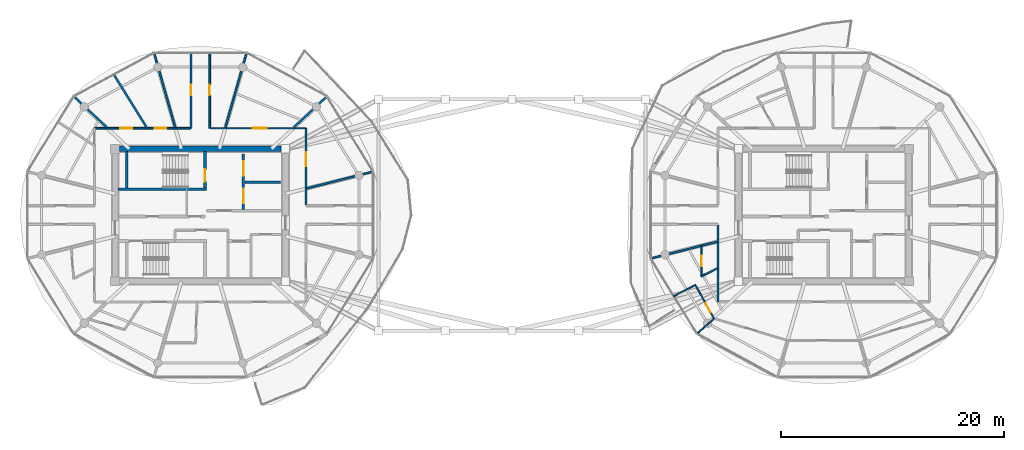
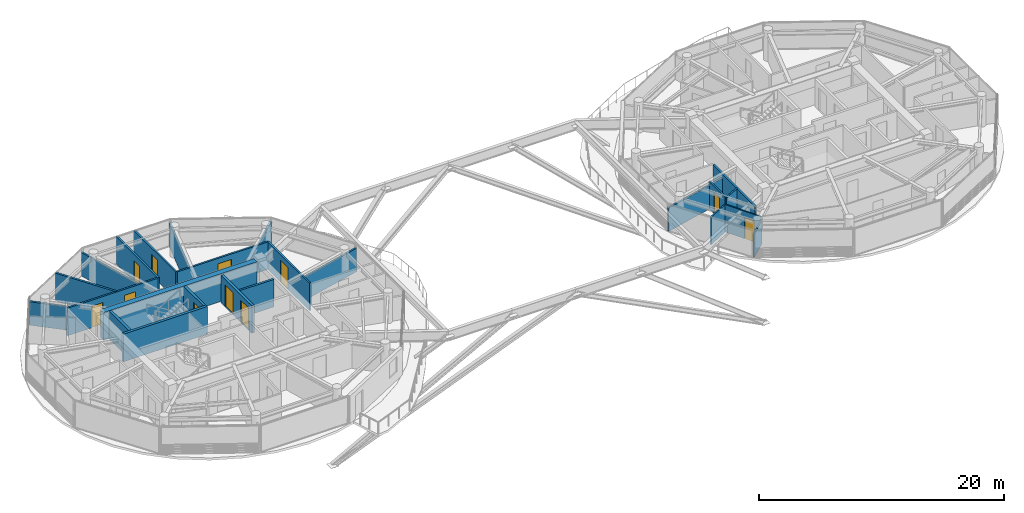
# One storey, part 15 of 23: 24 walls, 11 doors, 11 openings.
"""IFC4 building model written with IfcOpenShell, lengths in metres."""

from ifc_helpers import new_model, si_unit, direction, frame, frame_2d, origin, place, context, subcontext, project, spatial, rectangle, extrude, source, transform, mapped, material, layer, layer_set, type_object, type_shapes, element, fill, save


model = new_model("IFC4")

# Units and contexts
model_context = context("Model", 3, precision=1e-05, world=origin(), true_north=direction((0.0, 1.0)))
body_context = subcontext(model_context, "Body", "Model", "MODEL_VIEW")
ifc_project = project(units=[si_unit("LENGTHUNIT", "METRE"), si_unit("AREAUNIT", "SQUARE_METRE"), si_unit("VOLUMEUNIT", "CUBIC_METRE"), si_unit("PLANEANGLEUNIT", "RADIAN"), si_unit("MASSUNIT", "GRAM", prefix="KILO")], contexts=[model_context])

# Site, building, storey
site_placement = place(None, origin())
site = spatial("IfcSite", under=ifc_project, at=site_placement, CompositionType="ELEMENT")
building_placement = place(site_placement, origin())
building = spatial("IfcBuilding", under=site, at=building_placement, Name="Norrkilde Senior Care Towers", CompositionType="ELEMENT")
storey_placement = place(building_placement, frame((0.0, 0.0, 196.75)))
storey = spatial("IfcBuildingStorey", under=building, at=storey_placement, Name="L61", CompositionType="ELEMENT", Elevation=196.75)

# Walls
ifc_material_1 = material(Name="Concrete C50/60", Category="concrete")
ifc_layer_1 = layer(ifc_material_1, 0.52001953125)
ifc_layer_set_1 = layer_set([ifc_layer_1], Name="Concrete C50/60")
wall_type_1 = type_object("IfcWallType", Name="Core Shear Wall Z4 520", PredefinedType="SHEAR", material=ifc_layer_set_1)
shared_shape_1 = source(origin(), body_context, "Body", "SweptSolid", [
    extrude(rectangle(XDim=14.5, YDim=0.52001953125, at=frame_2d((7.25, 0.0))), origin(), (0.0, 0.0, 1.0), 2.760009765625),
])
type_shapes(wall_type_1, [shared_shape_1])
wall_1_placement = place(storey_placement, frame((-35.25, 5.949951171875, 0.0), z_axis=(0.0, 0.0, 1.0), x_axis=(1.0, 0.0, 0.0)))
element("IfcWall", 1, at=wall_1_placement, inside=storey, type_object=wall_type_1, Name="L61 Core W North Shear Wall", PredefinedType="SHEAR", context=body_context, shape_type="MappedRepresentation", body=[
    mapped(shared_shape_1, transform((0.0, 0.0, 0.0), x_axis=(1.0, 0.0, 0.0), y_axis=(0.0, 1.0, 0.0), z_axis=(0.0, 0.0, 1.0), scale=1.0)),
])
ifc_material_2 = material(Name="Concrete C45/55", Category="concrete")
ifc_layer_2 = layer(ifc_material_2, 0.239990234375)
ifc_layer_set_2 = layer_set([ifc_layer_2], Name="Concrete C45/55")
wall_type_2 = type_object("IfcWallType", Name="Shaft and Stair Enclosure Wall 240", PredefinedType="PARTITIONING", material=ifc_layer_set_2)
shared_shape_2 = source(origin(), body_context, "Body", "SweptSolid", [
    extrude(rectangle(XDim=7.929931640625, YDim=0.239990234375, at=frame_2d((3.96484375, 0.0))), origin(), (0.0, 0.0, 1.0), 2.760009765625),
])
wall_2_placement = place(storey_placement, frame((-35.389892578125, 2.330078125, 0.0), z_axis=(0.0, 0.0, 1.0), x_axis=(1.0, 0.0, 0.0)))
element("IfcWall", 2, at=wall_2_placement, inside=storey, type_object=wall_type_2, Name="WL-INT-L61-W-ST1S", PredefinedType="PARTITIONING", context=body_context, shape_type="MappedRepresentation", body=[
    mapped(shared_shape_2, transform((0.0, 0.0, 0.0), x_axis=(1.0, 0.0, 0.0), y_axis=(0.0, 1.0, 0.0), z_axis=(0.0, 0.0, 1.0), scale=1.0)),
])
shared_shape_3 = source(origin(), body_context, "Body", "SweptSolid", [
    extrude(rectangle(XDim=3.239990234375, YDim=0.239990234375, at=frame_2d((1.6201171875, 0.0))), origin(), (0.0, 0.0, 1.0), 2.760009765625),
])
type_shapes(wall_type_2, [shared_shape_2, shared_shape_3])
wall_3_placement = place(storey_placement, frame((-34.6201171875, 2.449951171875, 0.0), z_axis=(0.0, 0.0, 1.0), x_axis=(0.0, 1.0, 0.0)))
element("IfcWall", 3, at=wall_3_placement, inside=storey, type_object=wall_type_2, Name="WL-INT-L61-W-ST1W", PredefinedType="PARTITIONING", context=body_context, shape_type="MappedRepresentation", body=[
    mapped(shared_shape_3, transform((0.0, 0.0, 0.0), x_axis=(1.0, 0.0, 0.0), y_axis=(0.0, 1.0, 0.0), z_axis=(0.0, 0.0, 1.0), scale=1.0)),
])

# Wall, opening, door
wall_4_placement = place(storey_placement, frame((-27.580078125, 2.449951171875, 0.0), z_axis=(0.0, 0.0, 1.0), x_axis=(0.0, 1.0, 0.0)))
wall_4 = element("IfcWall", 4, at=wall_4_placement, inside=storey, type_object=wall_type_2, Name="WL-INT-L61-W-ST1E", PredefinedType="PARTITIONING", context=body_context, shape_type="MappedRepresentation", body=[
    mapped(shared_shape_3, transform((0.0, 0.0, 0.0), x_axis=(1.0, 0.0, 0.0), y_axis=(0.0, 1.0, 0.0), z_axis=(0.0, 0.0, 1.0), scale=1.0)),
])
opening_1_placement = place(wall_4_placement, frame((0.550048828125, 0.0, 0.0)))
opening_1 = element("IfcOpeningElement", 5, at=opening_1_placement, cuts=wall_4, Name="Opening D-03", PredefinedType="OPENING", context=body_context, shape_type="SweptSolid", body=[
    extrude(rectangle(XDim=1.10009765625, YDim=2.14990234375, at=frame_2d((0.550048828125, 1.074951171875))), frame((0.0, 0.1298828125, 0.0), z_axis=(0.0, -1.0, 0.0), x_axis=(1.0, 0.0, 0.0)), (0.0, 0.0, 1.0), 0.260009765625),
])
ifc_material_3 = material(Name="Galvanised Painted Steel", Category="steel")
door_type_1 = type_object("IfcDoorType", Name="Stairwell Protected Fire Door 1100x2150", OperationType="NOTDEFINED", PredefinedType="DOOR", material=ifc_material_3)
shared_shape_4 = source(origin(), body_context, "Body", "SweptSolid", [
    extrude(rectangle(XDim=1.10009765625, YDim=2.14990234375, at=frame_2d((0.550048828125, 1.074951171875))), frame((0.0, 0.02490234375, 0.0), z_axis=(0.0, -1.0, 0.0), x_axis=(1.0, 0.0, 0.0)), (0.0, 0.0, 1.0), 0.050048828125),
])
type_shapes(door_type_1, [shared_shape_4])
door_1_placement = place(opening_1_placement, origin())
door_1 = element("IfcDoor", 6, at=door_1_placement, inside=storey, type_object=door_type_1, Name="L61 Stair W1 Fire Door", OperationType="SINGLE_SWING_LEFT", OverallHeight=2.14990234375, OverallWidth=1.10009765625, PredefinedType="DOOR", context=body_context, shape_type="MappedRepresentation", body=[
    mapped(shared_shape_4, transform((0.0, 0.0, 0.0), x_axis=(1.0, 0.0, 0.0), y_axis=(0.0, 1.0, 0.0), z_axis=(0.0, 0.0, 1.0), scale=1.0)),
])
fill(opening_1, door_1)

# Wall, openings, doors
ifc_layer_3 = layer(ifc_material_2, 0.239990234375)
ifc_layer_set_3 = layer_set([ifc_layer_3], Name="Concrete C45/55")
wall_type_3 = type_object("IfcWallType", Name="Lift and Plant Rated Enclosure Partition 240", PredefinedType="PARTITIONING", material=ifc_layer_set_3)
shared_shape_5 = source(origin(), body_context, "Body", "SweptSolid", [
    extrude(rectangle(XDim=5.0, YDim=0.239990234375, at=frame_2d((2.5, 0.0))), origin(), (0.0, 0.0, 1.0), 2.7451171875),
])
type_shapes(wall_type_3, [shared_shape_5])
wall_5_placement = place(storey_placement, frame((-24.139892578125, 0.5, 0.0), z_axis=(0.0, 0.0, 1.0), x_axis=(0.0, 1.0, 0.0)))
wall_5 = element("IfcWall", 7, at=wall_5_placement, inside=storey, type_object=wall_type_3, Name="WL-INT-L61-W-FFLE", PredefinedType="PARTITIONING", context=body_context, shape_type="MappedRepresentation", body=[
    mapped(shared_shape_5, transform((0.0, 0.0, 0.0), x_axis=(1.0, 0.0, 0.0), y_axis=(0.0, 1.0, 0.0), z_axis=(0.0, 0.0, 1.0), scale=1.0)),
])
opening_2_placement = place(wall_5_placement, frame((3.050048828125, 0.0, 0.0)))
opening_2 = element("IfcOpeningElement", 8, at=opening_2_placement, cuts=wall_5, Name="Opening LD-02", PredefinedType="OPENING", context=body_context, shape_type="SweptSolid", body=[
    extrude(rectangle(XDim=1.300048828125, YDim=2.199951171875, at=frame_2d((0.64990234375, 1.10009765625))), frame((0.0, 0.1298828125, 0.0), z_axis=(0.0, -1.0, 0.0), x_axis=(1.0, 0.0, 0.0)), (0.0, 0.0, 1.0), 0.260009765625),
])
opening_3_placement = place(wall_5_placement, frame((0.550048828125, 0.0, 0.0)))
opening_3 = element("IfcOpeningElement", 9, at=opening_3_placement, cuts=wall_5, Name="Opening LD-02", PredefinedType="OPENING", context=body_context, shape_type="SweptSolid", body=[
    extrude(rectangle(XDim=1.300048828125, YDim=2.199951171875, at=frame_2d((0.64990234375, 1.10009765625))), frame((0.0, 0.1298828125, 0.0), z_axis=(0.0, -1.0, 0.0), x_axis=(1.0, 0.0, 0.0)), (0.0, 0.0, 1.0), 0.260009765625),
])
ifc_material_4 = material(Name="Stainless Steel", Category="steel")
door_type_2 = type_object("IfcDoorType", Name="Stretcher and FFL Landing Sliding Door 1300x2200", OperationType="NOTDEFINED", PredefinedType="DOOR", material=ifc_material_4)
shared_shape_6 = source(origin(), body_context, "Body", "SweptSolid", [
    extrude(rectangle(XDim=1.300048828125, YDim=2.199951171875, at=frame_2d((0.64990234375, 1.10009765625))), frame((0.0, 0.02490234375, 0.0), z_axis=(0.0, -1.0, 0.0), x_axis=(1.0, 0.0, 0.0)), (0.0, 0.0, 1.0), 0.050048828125),
])
type_shapes(door_type_2, [shared_shape_6])
door_2_placement = place(opening_2_placement, origin())
door_2 = element("IfcDoor", 10, at=door_2_placement, inside=storey, type_object=door_type_2, Name="L61 Firefighting Lift W1 Landing Door", OperationType="SLIDING_TO_LEFT", OverallHeight=2.199951171875, OverallWidth=1.300048828125, PredefinedType="DOOR", context=body_context, shape_type="MappedRepresentation", body=[
    mapped(shared_shape_6, transform((0.0, 0.0, 0.0), x_axis=(1.0, 0.0, 0.0), y_axis=(0.0, 1.0, 0.0), z_axis=(0.0, 0.0, 1.0), scale=1.0)),
])
fill(opening_2, door_2)
door_3_placement = place(opening_3_placement, origin())
door_3 = element("IfcDoor", 11, at=door_3_placement, inside=storey, type_object=door_type_2, Name="L61 Stretcher Lift W1 Landing Door", OperationType="SLIDING_TO_RIGHT", OverallHeight=2.199951171875, OverallWidth=1.300048828125, PredefinedType="DOOR", context=body_context, shape_type="MappedRepresentation", body=[
    mapped(shared_shape_6, transform((0.0, 0.0, 0.0), x_axis=(1.0, 0.0, 0.0), y_axis=(0.0, 1.0, 0.0), z_axis=(0.0, 0.0, 1.0), scale=1.0)),
])
fill(opening_3, door_3)

# Wall
ifc_layer_4 = layer(ifc_material_2, 0.199951171875)
ifc_layer_set_4 = layer_set([ifc_layer_4], Name="Concrete C45/55")
wall_type_4 = type_object("IfcWallType", Name="Shaft Division and Plant Partition 200", PredefinedType="PARTITIONING", material=ifc_layer_set_4)
shared_shape_7 = source(origin(), body_context, "Body", "SweptSolid", [
    extrude(rectangle(XDim=3.199951171875, YDim=0.199951171875, at=frame_2d((1.60009765625, 0.0))), origin(), (0.0, 0.0, 1.0), 2.7451171875),
])
type_shapes(wall_type_4, [shared_shape_7])
wall_6_placement = place(storey_placement, frame((-24.0, 2.949951171875, 0.0), z_axis=(0.0, 0.0, 1.0), x_axis=(1.0, 0.0, 0.0)))
element("IfcWall", 12, at=wall_6_placement, inside=storey, type_object=wall_type_4, Name="WL-INT-L61-W-FFLDIV", PredefinedType="PARTITIONING", context=body_context, shape_type="MappedRepresentation", body=[
    mapped(shared_shape_7, transform((0.0, 0.0, 0.0), x_axis=(1.0, 0.0, 0.0), y_axis=(0.0, 1.0, 0.0), z_axis=(0.0, 0.0, 1.0), scale=1.0)),
])

# Wall, openings, doors
ifc_material_5 = material(Name="Gypsum Acoustic Board")
ifc_layer_5 = layer(ifc_material_5, 0.1650390625)
ifc_layer_set_5 = layer_set([ifc_layer_5], Name="Gypsum Acoustic Board")
wall_type_5 = type_object("IfcWallType", Name="Corridor Rated Partition 165", PredefinedType="PARTITIONING", material=ifc_layer_set_5)
shared_shape_8 = source(origin(), body_context, "Body", "SweptSolid", [
    extrude(rectangle(XDim=8.580078125, YDim=0.1650390625, at=frame_2d((4.2900390625, 0.0))), origin(), (0.0, 0.0, 1.0), 2.7451171875),
])
wall_7_placement = place(storey_placement, frame((-37.5, 7.800048828125, 0.0), z_axis=(0.0, 0.0, 1.0), x_axis=(1.0, 0.0, 0.0)))
wall_7 = element("IfcWall", 13, at=wall_7_placement, inside=storey, type_object=wall_type_5, Name="WL-INT-L61-W-CRW-N-0", PredefinedType="PARTITIONING", context=body_context, shape_type="MappedRepresentation", body=[
    mapped(shared_shape_8, transform((0.0, 0.0, 0.0), x_axis=(1.0, 0.0, 0.0), y_axis=(0.0, 1.0, 0.0), z_axis=(0.0, 0.0, 1.0), scale=1.0)),
])
opening_4_placement = place(wall_7_placement, frame((5.40771484375, 0.0, 0.0)))
opening_4 = element("IfcOpeningElement", 14, at=opening_4_placement, cuts=wall_7, Name="Opening D-06", PredefinedType="OPENING", context=body_context, shape_type="SweptSolid", body=[
    extrude(rectangle(XDim=1.050048828125, YDim=2.14990234375, at=frame_2d((0.52490234375, 1.074951171875))), frame((0.0, 0.092529296875, 0.0), z_axis=(0.0, -1.0, 0.0), x_axis=(1.0, 0.0, 0.0)), (0.0, 0.0, 1.0), 0.18505859375),
])
opening_5_placement = place(wall_7_placement, frame((2.316650390625, 0.0, 0.0)))
opening_5 = element("IfcOpeningElement", 15, at=opening_5_placement, cuts=wall_7, Name="Opening D-06", PredefinedType="OPENING", context=body_context, shape_type="SweptSolid", body=[
    extrude(rectangle(XDim=1.050048828125, YDim=2.14990234375, at=frame_2d((0.52490234375, 1.074951171875))), frame((0.0, 0.092529296875, 0.0), z_axis=(0.0, -1.0, 0.0), x_axis=(1.0, 0.0, 0.0)), (0.0, 0.0, 1.0), 0.18505859375),
])
ifc_material_6 = material(Name="Nordic Ash Timber", Category="wood")
door_type_3 = type_object("IfcDoorType", Name="Apartment Entrance Fire Door 1050x2150", OperationType="NOTDEFINED", PredefinedType="DOOR", material=ifc_material_6)
shared_shape_9 = source(origin(), body_context, "Body", "SweptSolid", [
    extrude(rectangle(XDim=1.050048828125, YDim=2.14990234375, at=frame_2d((0.52490234375, 1.074951171875))), frame((0.0, 0.02490234375, 0.0), z_axis=(0.0, -1.0, 0.0), x_axis=(1.0, 0.0, 0.0)), (0.0, 0.0, 1.0), 0.050048828125),
])
type_shapes(door_type_3, [shared_shape_9])
door_4_placement = place(opening_4_placement, frame((1.050048828125, 0.0, 0.0), z_axis=(0.0, 0.0, 1.0), x_axis=(-1.0, 0.0, 0.0)))
door_4 = element("IfcDoor", 16, at=door_4_placement, inside=storey, type_object=door_type_3, Name="L61 Physiotherapy Clinic 3A Door", OperationType="SINGLE_SWING_RIGHT", OverallHeight=2.14990234375, OverallWidth=1.050048828125, PredefinedType="DOOR", context=body_context, shape_type="MappedRepresentation", body=[
    mapped(shared_shape_9, transform((0.0, 0.0, 0.0), x_axis=(1.0, 0.0, 0.0), y_axis=(0.0, 1.0, 0.0), z_axis=(0.0, 0.0, 1.0), scale=1.0)),
])
fill(opening_4, door_4)
door_5_placement = place(opening_5_placement, frame((1.050048828125, 0.0, 0.0), z_axis=(0.0, 0.0, 1.0), x_axis=(-1.0, 0.0, 0.0)))
door_5 = element("IfcDoor", 17, at=door_5_placement, inside=storey, type_object=door_type_3, Name="L61 Assessment Clinic 3B Door", OperationType="SINGLE_SWING_LEFT", OverallHeight=2.14990234375, OverallWidth=1.050048828125, PredefinedType="DOOR", context=body_context, shape_type="MappedRepresentation", body=[
    mapped(shared_shape_9, transform((0.0, 0.0, 0.0), x_axis=(1.0, 0.0, 0.0), y_axis=(0.0, 1.0, 0.0), z_axis=(0.0, 0.0, 1.0), scale=1.0)),
])
fill(opening_5, door_5)

# Wall, opening, door
wall_8_placement = place(storey_placement, frame((-27.080078125, 7.800048828125, 0.0), z_axis=(0.0, 0.0, 1.0), x_axis=(1.0, 0.0, 0.0)))
wall_8 = element("IfcWall", 18, at=wall_8_placement, inside=storey, type_object=wall_type_5, Name="WL-INT-L61-W-CRW-N-1", PredefinedType="PARTITIONING", context=body_context, shape_type="MappedRepresentation", body=[
    mapped(shared_shape_8, transform((0.0, 0.0, 0.0), x_axis=(1.0, 0.0, 0.0), y_axis=(0.0, 1.0, 0.0), z_axis=(0.0, 0.0, 1.0), scale=1.0)),
])
opening_6_placement = place(wall_8_placement, frame((3.802490234375, 0.0, 0.0)))
opening_6 = element("IfcOpeningElement", 19, at=opening_6_placement, cuts=wall_8, Name="Opening D-05", PredefinedType="OPENING", context=body_context, shape_type="SweptSolid", body=[
    extrude(rectangle(XDim=1.25, YDim=2.199951171875, at=frame_2d((0.625, 1.10009765625))), frame((0.0, 0.092529296875, 0.0), z_axis=(0.0, -1.0, 0.0), x_axis=(1.0, 0.0, 0.0)), (0.0, 0.0, 1.0), 0.18505859375),
])
door_type_4 = type_object("IfcDoorType", Name="Care Bedroom Bariatric Door 1250x2200", OperationType="NOTDEFINED", PredefinedType="DOOR", material=ifc_material_6)
shared_shape_10 = source(origin(), body_context, "Body", "SweptSolid", [
    extrude(rectangle(XDim=1.25, YDim=2.199951171875, at=frame_2d((0.625, 1.10009765625))), frame((0.0, 0.02490234375, 0.0), z_axis=(0.0, -1.0, 0.0), x_axis=(1.0, 0.0, 0.0)), (0.0, 0.0, 1.0), 0.050048828125),
])
type_shapes(door_type_4, [shared_shape_10])
door_6_placement = place(opening_6_placement, frame((1.25, 0.0, 0.0), z_axis=(0.0, 0.0, 1.0), x_axis=(-1.0, 0.0, 0.0)))
door_6 = element("IfcDoor", 20, at=door_6_placement, inside=storey, type_object=door_type_4, Name="L61 Senior Wellness Library Lounge Door", OperationType="SINGLE_SWING_RIGHT", OverallHeight=2.199951171875, OverallWidth=1.25, PredefinedType="DOOR", context=body_context, shape_type="MappedRepresentation", body=[
    mapped(shared_shape_10, transform((0.0, 0.0, 0.0), x_axis=(1.0, 0.0, 0.0), y_axis=(0.0, 1.0, 0.0), z_axis=(0.0, 0.0, 1.0), scale=1.0)),
])
fill(opening_6, door_6)

shared_shape_11 = source(origin(), body_context, "Body", "SweptSolid", [
    extrude(rectangle(XDim=6.880126953125, YDim=0.1650390625, at=frame_2d((3.43994140625, 0.0))), origin(), (0.0, 0.0, 1.0), 2.7451171875),
])
wall_9_placement = place(storey_placement, frame((-18.5, 7.800048828125, 0.0), z_axis=(0.0, 0.0, 1.0), x_axis=(0.0, -1.0, 0.0)))
wall_9 = element("IfcWall", 21, at=wall_9_placement, inside=storey, type_object=wall_type_5, Name="WL-INT-L61-W-CRW-E-0", PredefinedType="PARTITIONING", context=body_context, shape_type="MappedRepresentation", body=[
    mapped(shared_shape_11, transform((0.0, 0.0, 0.0), x_axis=(1.0, 0.0, 0.0), y_axis=(0.0, 1.0, 0.0), z_axis=(0.0, 0.0, 1.0), scale=1.0)),
])
opening_7_placement = place(wall_9_placement, frame((2.165771484375, 0.0, 0.0)))
opening_7 = element("IfcOpeningElement", 22, at=opening_7_placement, cuts=wall_9, Name="Opening D-05", PredefinedType="OPENING", context=body_context, shape_type="SweptSolid", body=[
    extrude(rectangle(XDim=1.25, YDim=2.199951171875, at=frame_2d((0.625, 1.10009765625))), frame((0.0, 0.092529296875, 0.0), z_axis=(0.0, -1.0, 0.0), x_axis=(1.0, 0.0, 0.0)), (0.0, 0.0, 1.0), 0.18505859375),
])
door_7_placement = place(opening_7_placement, frame((1.25, 0.0, 0.0), z_axis=(0.0, 0.0, 1.0), x_axis=(-1.0, 0.0, 0.0)))
door_7 = element("IfcDoor", 23, at=door_7_placement, inside=storey, type_object=door_type_4, Name="L61 Sky-Garden Observatory Dining Salon L61 Door", OperationType="SINGLE_SWING_LEFT", OverallHeight=2.199951171875, OverallWidth=1.25, PredefinedType="DOOR", context=body_context, shape_type="MappedRepresentation", body=[
    mapped(shared_shape_10, transform((0.0, 0.0, 0.0), x_axis=(1.0, 0.0, 0.0), y_axis=(0.0, 1.0, 0.0), z_axis=(0.0, 0.0, 1.0), scale=1.0)),
])
fill(opening_7, door_7)

# Walls
wall_10_placement = place(storey_placement, frame((18.5, -7.800048828125, 0.0), z_axis=(0.0, 0.0, 1.0), x_axis=(0.0, 1.0, 0.0)))
element("IfcWall", 24, at=wall_10_placement, inside=storey, type_object=wall_type_5, Name="WL-INT-L61-E-CRW-W-0", PredefinedType="PARTITIONING", context=body_context, shape_type="MappedRepresentation", body=[
    mapped(shared_shape_11, transform((0.0, 0.0, 0.0), x_axis=(1.0, 0.0, 0.0), y_axis=(0.0, 1.0, 0.0), z_axis=(0.0, 0.0, 1.0), scale=1.0)),
])
shared_shape_12 = source(origin(), body_context, "Body", "SweptSolid", [
    extrude(rectangle(XDim=6.973876953125, YDim=0.1650390625, at=frame_2d((3.48681640625, 0.0))), origin(), (0.0, 0.0, 1.0), 2.344970703125),
])
for number, where, z_axis, x_axis, name in (
    (25, (-25.748779296875, 7.8798828125, 0.0), (0.0, 0.0, 1.0), (0.274707256801, 0.961527910703, 0.0), "WL-INT-L61-W-DEM-02-0"),
    (26, (-30.251220703125, 7.8798828125, 0.0), (0.0, 0.0, 1.0), (-0.274707256801, 0.961527910703, 0.0), "WL-INT-L61-W-DEM-03-0"),
):
    element("IfcWall", number, at=place(storey_placement, frame(where, z_axis=z_axis, x_axis=x_axis)), inside=storey, type_object=wall_type_5, Name=name, PredefinedType="PARTITIONING", context=body_context, shape_type="MappedRepresentation", body=[
        mapped(shared_shape_12, transform((0.0, 0.0, 0.0), x_axis=(1.0, 0.0, 0.0), y_axis=(0.0, 1.0, 0.0), z_axis=(0.0, 0.0, 1.0), scale=1.0)),
    ])
shared_shape_13 = source(origin(), body_context, "Body", "SweptSolid", [
    extrude(rectangle(XDim=6.1572265625, YDim=0.1650390625, at=frame_2d((3.07861328125, 0.0))), origin(), (0.0, 0.0, 1.0), 2.344970703125),
])
for number, where, z_axis, x_axis, name in (
    (27, (-18.419921875, 2.407470703125, 0.0), (0.0, 0.0, 1.0), (0.969840867184, 0.243738984038, 0.0), "WL-INT-L61-W-DEM-00-0"),
    (28, (18.419921875, -2.407470703125, 0.0), (0.0, 0.0, 1.0), (-0.969840867184, -0.243738984038, 0.0), "WL-INT-L61-E-DEM-06-0"),
):
    element("IfcWall", number, at=place(storey_placement, frame(where, z_axis=z_axis, x_axis=x_axis)), inside=storey, type_object=wall_type_5, Name=name, PredefinedType="PARTITIONING", context=body_context, shape_type="MappedRepresentation", body=[
        mapped(shared_shape_13, transform((0.0, 0.0, 0.0), x_axis=(1.0, 0.0, 0.0), y_axis=(0.0, 1.0, 0.0), z_axis=(0.0, 0.0, 1.0), scale=1.0)),
    ])

# Wall, opening, door
shared_shape_14 = source(origin(), body_context, "Body", "SweptSolid", [
    extrude(rectangle(XDim=6.83544921875, YDim=0.1650390625, at=frame_2d((3.417724609375, 0.0))), origin(), (0.0, 0.0, 1.0), 2.7451171875),
])
type_shapes(wall_type_5, [shared_shape_8, shared_shape_11, shared_shape_12, shared_shape_13, shared_shape_14])
wall_11_placement = place(storey_placement, frame((-28.840087890625, 7.800048828125, 0.0), z_axis=(0.0, 0.0, 1.0), x_axis=(0.0, 1.0, 0.0)))
wall_11 = element("IfcWall", 29, at=wall_11_placement, inside=storey, type_object=wall_type_5, Name="WL-INT-L61-W-SPK-N1-0", PredefinedType="PARTITIONING", context=body_context, shape_type="MappedRepresentation", body=[
    mapped(shared_shape_14, transform((0.0, 0.0, 0.0), x_axis=(1.0, 0.0, 0.0), y_axis=(0.0, 1.0, 0.0), z_axis=(0.0, 0.0, 1.0), scale=1.0)),
])
opening_8_placement = place(wall_11_placement, frame((2.942626953125, 0.0, 0.0)))
opening_8 = element("IfcOpeningElement", 30, at=opening_8_placement, cuts=wall_11, Name="Opening D-07", PredefinedType="OPENING", context=body_context, shape_type="SweptSolid", body=[
    extrude(rectangle(XDim=0.949951171875, YDim=2.10009765625, at=frame_2d((0.47509765625, 1.050048828125))), frame((0.0, 0.092529296875, 0.0), z_axis=(0.0, -1.0, 0.0), x_axis=(1.0, 0.0, 0.0)), (0.0, 0.0, 1.0), 0.18505859375),
])
door_type_5 = type_object("IfcDoorType", Name="Internal Suite Bedroom Door 950x2100", OperationType="NOTDEFINED", PredefinedType="DOOR", material=ifc_material_6)
shared_shape_15 = source(origin(), body_context, "Body", "SweptSolid", [
    extrude(rectangle(XDim=0.949951171875, YDim=2.10009765625, at=frame_2d((0.47509765625, 1.050048828125))), frame((0.0, 0.02490234375, 0.0), z_axis=(0.0, -1.0, 0.0), x_axis=(1.0, 0.0, 0.0)), (0.0, 0.0, 1.0), 0.050048828125),
])
type_shapes(door_type_5, [shared_shape_15])
door_8_placement = place(opening_8_placement, frame((0.949951171875, 0.0, 0.0), z_axis=(0.0, 0.0, 1.0), x_axis=(-1.0, 0.0, 0.0)))
door_8 = element("IfcDoor", 31, at=door_8_placement, inside=storey, type_object=door_type_5, Name="L61 Sun Reading Lounge 3 Door", OperationType="SINGLE_SWING_RIGHT", OverallHeight=2.10009765625, OverallWidth=0.949951171875, PredefinedType="DOOR", context=body_context, shape_type="MappedRepresentation", body=[
    mapped(shared_shape_15, transform((0.0, 0.0, 0.0), x_axis=(1.0, 0.0, 0.0), y_axis=(0.0, 1.0, 0.0), z_axis=(0.0, 0.0, 1.0), scale=1.0)),
])
fill(opening_8, door_8)

wall_12_placement = place(storey_placement, frame((-27.159912109375, 14.635498046875, 0.0), z_axis=(0.0, 0.0, 1.0), x_axis=(0.0, -1.0, 0.0)))
wall_12 = element("IfcWall", 32, at=wall_12_placement, inside=storey, type_object=wall_type_5, Name="WL-INT-L61-W-SPK-N2-0", PredefinedType="PARTITIONING", context=body_context, shape_type="MappedRepresentation", body=[
    mapped(shared_shape_14, transform((0.0, 0.0, 0.0), x_axis=(1.0, 0.0, 0.0), y_axis=(0.0, 1.0, 0.0), z_axis=(0.0, 0.0, 1.0), scale=1.0)),
])
opening_9_placement = place(wall_12_placement, frame((2.942626953125, 0.0, 0.0)))
opening_9 = element("IfcOpeningElement", 33, at=opening_9_placement, cuts=wall_12, Name="Opening D-07", PredefinedType="OPENING", context=body_context, shape_type="SweptSolid", body=[
    extrude(rectangle(XDim=0.949951171875, YDim=2.10009765625, at=frame_2d((0.47509765625, 1.050048828125))), frame((0.0, 0.092529296875, 0.0), z_axis=(0.0, -1.0, 0.0), x_axis=(1.0, 0.0, 0.0)), (0.0, 0.0, 1.0), 0.18505859375),
])
door_9_placement = place(opening_9_placement, frame((0.949951171875, 0.0, 0.0), z_axis=(0.0, 0.0, 1.0), x_axis=(-1.0, 0.0, 0.0)))
door_9 = element("IfcDoor", 34, at=door_9_placement, inside=storey, type_object=door_type_5, Name="L61 Sun Reading Lounge 4 Door", OperationType="SINGLE_SWING_LEFT", OverallHeight=2.10009765625, OverallWidth=0.949951171875, PredefinedType="DOOR", context=body_context, shape_type="MappedRepresentation", body=[
    mapped(shared_shape_15, transform((0.0, 0.0, 0.0), x_axis=(1.0, 0.0, 0.0), y_axis=(0.0, 1.0, 0.0), z_axis=(0.0, 0.0, 1.0), scale=1.0)),
])
fill(opening_9, door_9)

# Walls
ifc_layer_6 = layer(ifc_material_5, 0.18994140625)
ifc_layer_set_6 = layer_set([ifc_layer_6], Name="Gypsum Acoustic Board")
wall_type_6 = type_object("IfcWallType", Name="Unit Demising Acoustic Wall 190", PredefinedType="PARTITIONING", material=ifc_layer_set_6)
shared_shape_16 = source(origin(), body_context, "Body", "SweptSolid", [
    extrude(rectangle(XDim=4.089111328125, YDim=0.18994140625, at=frame_2d((2.04443359375, 0.0))), origin(), (0.0, 0.0, 1.0), 2.344970703125),
])
for number, where, z_axis, x_axis, name in (
    (35, (-19.59814453125, 7.8798828125, 0.0), (0.0, 0.0, 1.0), (0.729401273609, 0.684086092577, 0.0), "WL-INT-L61-W-DEM-01-0"),
    (36, (-36.40185546875, 7.8798828125, 0.0), (0.0, 0.0, 1.0), (-0.729401273609, 0.684086092577, 0.0), "WL-INT-L61-W-DEM-04-0"),
):
    element("IfcWall", number, at=place(storey_placement, frame(where, z_axis=z_axis, x_axis=x_axis)), inside=storey, type_object=wall_type_6, Name=name, PredefinedType="PARTITIONING", context=body_context, shape_type="MappedRepresentation", body=[
        mapped(shared_shape_16, transform((0.0, 0.0, 0.0), x_axis=(1.0, 0.0, 0.0), y_axis=(0.0, 1.0, 0.0), z_axis=(0.0, 0.0, 1.0), scale=1.0)),
    ])
shared_shape_17 = source(origin(), body_context, "Body", "SweptSolid", [
    extrude(rectangle(XDim=5.65185546875, YDim=0.18994140625, at=frame_2d((2.825927734375, 0.0))), origin(), (0.0, 0.0, 1.0), 2.7451171875),
])
type_shapes(wall_type_6, [shared_shape_16, shared_shape_17])
wall_13_placement = place(storey_placement, frame((-32.7939453125, 7.830078125, 0.0), z_axis=(0.0, 0.0, 1.0), x_axis=(-0.527566076956, 0.84951399897, 0.0)))
element("IfcWall", 37, at=wall_13_placement, inside=storey, type_object=wall_type_6, Name="WL-INT-L61-W-MID-03", PredefinedType="PARTITIONING", context=body_context, shape_type="MappedRepresentation", body=[
    mapped(shared_shape_17, transform((0.0, 0.0, 0.0), x_axis=(1.0, 0.0, 0.0), y_axis=(0.0, 1.0, 0.0), z_axis=(0.0, 0.0, 1.0), scale=1.0)),
])
ifc_layer_7 = layer(ifc_material_5, 0.114990234375)
ifc_layer_set_7 = layer_set([ifc_layer_7], Name="Gypsum Acoustic Board")
wall_type_7 = type_object("IfcWallType", Name="Internal Room Partition 115", PredefinedType="PARTITIONING", material=ifc_layer_set_7)
shared_shape_18 = source(origin(), body_context, "Body", "SweptSolid", [
    extrude(rectangle(XDim=2.071533203125, YDim=0.114990234375, at=frame_2d((1.03564453125, 0.0))), origin(), (0.0, 0.0, 1.0), 2.344970703125),
])
wall_14_placement = place(storey_placement, frame((18.1513671875, -9.287109375, 0.0), z_axis=(0.0, 0.0, 1.0), x_axis=(-0.741410125356, -0.671052178314, 0.0)))
element("IfcWall", 38, at=wall_14_placement, inside=storey, type_object=wall_type_7, Name="WL-INT-L61-E-UBR-06-1", PredefinedType="PARTITIONING", context=body_context, shape_type="MappedRepresentation", body=[
    mapped(shared_shape_18, transform((0.0, 0.0, 0.0), x_axis=(1.0, 0.0, 0.0), y_axis=(0.0, 1.0, 0.0), z_axis=(0.0, 0.0, 1.0), scale=1.0)),
])
ifc_layer_8 = layer(ifc_material_5, 0.139892578125)
ifc_layer_set_8 = layer_set([ifc_layer_8], Name="Gypsum Acoustic Board")
wall_type_8 = type_object("IfcWallType", Name="En-suite Wet Room Wall 140", PredefinedType="PARTITIONING", material=ifc_layer_set_8)
shared_shape_19 = source(origin(), body_context, "Body", "SweptSolid", [
    extrude(rectangle(XDim=1.638427734375, YDim=0.139892578125, at=frame_2d((0.8193359375, 0.0))), origin(), (0.0, 0.0, 1.0), 2.7451171875),
])
wall_15_placement = place(storey_placement, frame((18.469970703125, -4.7783203125, 0.0), z_axis=(0.0, 0.0, 1.0), x_axis=(-0.893919977945, -0.448226586707, 0.0)))
element("IfcWall", 39, at=wall_15_placement, inside=storey, type_object=wall_type_8, Name="WL-INT-L61-E-UBTS-06", PredefinedType="PARTITIONING", context=body_context, shape_type="MappedRepresentation", body=[
    mapped(shared_shape_19, transform((0.0, 0.0, 0.0), x_axis=(1.0, 0.0, 0.0), y_axis=(0.0, 1.0, 0.0), z_axis=(0.0, 0.0, 1.0), scale=1.0)),
])

# Wall, opening, door
shared_shape_20 = source(origin(), body_context, "Body", "SweptSolid", [
    extrude(rectangle(XDim=2.7587890625, YDim=0.139892578125, at=frame_2d((1.37939453125, 0.0))), origin(), (0.0, 0.0, 1.0), 2.7451171875),
])
type_shapes(wall_type_8, [shared_shape_19, shared_shape_20])
wall_16_placement = place(storey_placement, frame((17.00537109375, -5.5126953125, 0.0), z_axis=(0.0, 0.0, 1.0), x_axis=(0.01194710728, 0.999928630767, 0.0)))
wall_16 = element("IfcWall", 40, at=wall_16_placement, inside=storey, type_object=wall_type_8, Name="WL-INT-L61-E-UBTF-06", PredefinedType="PARTITIONING", context=body_context, shape_type="MappedRepresentation", body=[
    mapped(shared_shape_20, transform((0.0, 0.0, 0.0), x_axis=(1.0, 0.0, 0.0), y_axis=(0.0, 1.0, 0.0), z_axis=(0.0, 0.0, 1.0), scale=1.0)),
])
opening_10_placement = place(wall_16_placement, frame((0.91943359375, 0.0, 0.0)))
opening_10 = element("IfcOpeningElement", 41, at=opening_10_placement, cuts=wall_16, Name="Opening D-08", PredefinedType="OPENING", context=body_context, shape_type="SweptSolid", body=[
    extrude(rectangle(XDim=0.919921875, YDim=2.10009765625, at=frame_2d((0.4599609375, 1.050048828125))), frame((0.0, 0.079833984375, 0.0), z_axis=(0.0, -1.0, 0.0), x_axis=(1.0, 0.0, 0.0)), (0.0, 0.0, 1.0), 0.159912109375),
])
door_type_6 = type_object("IfcDoorType", Name="Accessible Wet Room Door 920x2100", OperationType="NOTDEFINED", PredefinedType="DOOR", material=ifc_material_6)
shared_shape_21 = source(origin(), body_context, "Body", "SweptSolid", [
    extrude(rectangle(XDim=0.919921875, YDim=2.10009765625, at=frame_2d((0.4599609375, 1.050048828125))), frame((0.0, 0.02490234375, 0.0), z_axis=(0.0, -1.0, 0.0), x_axis=(1.0, 0.0, 0.0)), (0.0, 0.0, 1.0), 0.050048828125),
])
type_shapes(door_type_6, [shared_shape_21])
door_10_placement = place(opening_10_placement, origin())
door_10 = element("IfcDoor", 42, at=door_10_placement, inside=storey, type_object=door_type_6, Name="Apartment 61D Bathroom Door", OperationType="SINGLE_SWING_RIGHT", OverallHeight=2.10009765625, OverallWidth=0.919921875, PredefinedType="DOOR", context=body_context, shape_type="MappedRepresentation", body=[
    mapped(shared_shape_21, transform((0.0, 0.0, 0.0), x_axis=(1.0, 0.0, 0.0), y_axis=(0.0, 1.0, 0.0), z_axis=(0.0, 0.0, 1.0), scale=1.0)),
])
fill(opening_10, door_10)

# Wall
shared_shape_22 = source(origin(), body_context, "Body", "SweptSolid", [
    extrude(rectangle(XDim=2.193115234375, YDim=0.114990234375, at=frame_2d((1.0966796875, 0.0))), origin(), (0.0, 0.0, 1.0), 2.7451171875),
])
wall_17_placement = place(storey_placement, frame((16.474609375, -6.27490234375, 0.0), z_axis=(0.0, 0.0, 1.0), x_axis=(-0.885783595046, -0.464098505435, 0.0)))
element("IfcWall", 43, at=wall_17_placement, inside=storey, type_object=wall_type_7, Name="WL-INT-L61-E-UKTS-06", PredefinedType="PARTITIONING", context=body_context, shape_type="MappedRepresentation", body=[
    mapped(shared_shape_22, transform((0.0, 0.0, 0.0), x_axis=(1.0, 0.0, 0.0), y_axis=(0.0, 1.0, 0.0), z_axis=(0.0, 0.0, 1.0), scale=1.0)),
])

# Wall, opening, door
shared_shape_23 = source(origin(), body_context, "Body", "SweptSolid", [
    extrude(rectangle(XDim=3.4501953125, YDim=0.114990234375, at=frame_2d((1.72509765625, 0.0))), origin(), (0.0, 0.0, 1.0), 2.7451171875),
])
type_shapes(wall_type_7, [shared_shape_18, shared_shape_22, shared_shape_23])
wall_18_placement = place(storey_placement, frame((16.474609375, -6.27490234375, 0.0), z_axis=(0.0, 0.0, 1.0), x_axis=(0.483659007882, -0.875256513312, 0.0)))
wall_18 = element("IfcWall", 44, at=wall_18_placement, inside=storey, type_object=wall_type_7, Name="WL-INT-L61-E-UKTF-06", PredefinedType="PARTITIONING", context=body_context, shape_type="MappedRepresentation", body=[
    mapped(shared_shape_23, transform((0.0, 0.0, 0.0), x_axis=(1.0, 0.0, 0.0), y_axis=(0.0, 1.0, 0.0), z_axis=(0.0, 0.0, 1.0), scale=1.0)),
])
opening_11_placement = place(wall_18_placement, frame((1.89990234375, 0.0, 0.0)))
opening_11 = element("IfcOpeningElement", 45, at=opening_11_placement, cuts=wall_18, Name="Opening D-07", PredefinedType="OPENING", context=body_context, shape_type="SweptSolid", body=[
    extrude(rectangle(XDim=0.949951171875, YDim=2.10009765625, at=frame_2d((0.47509765625, 1.050048828125))), frame((0.0, 0.0673828125, 0.0), z_axis=(0.0, -1.0, 0.0), x_axis=(1.0, 0.0, 0.0)), (0.0, 0.0, 1.0), 0.135009765625),
])
door_11_placement = place(opening_11_placement, frame((0.949951171875, 0.0, 0.0), z_axis=(0.0, 0.0, 1.0), x_axis=(-1.0, 0.0, 0.0)))
door_11 = element("IfcDoor", 46, at=door_11_placement, inside=storey, type_object=door_type_5, Name="Apartment 61D Kitchen Door", OperationType="SINGLE_SWING_LEFT", OverallHeight=2.10009765625, OverallWidth=0.949951171875, PredefinedType="DOOR", context=body_context, shape_type="MappedRepresentation", body=[
    mapped(shared_shape_15, transform((0.0, 0.0, 0.0), x_axis=(1.0, 0.0, 0.0), y_axis=(0.0, 1.0, 0.0), z_axis=(0.0, 0.0, 1.0), scale=1.0)),
])
fill(opening_11, door_11)

save(model, "model.ifc")
